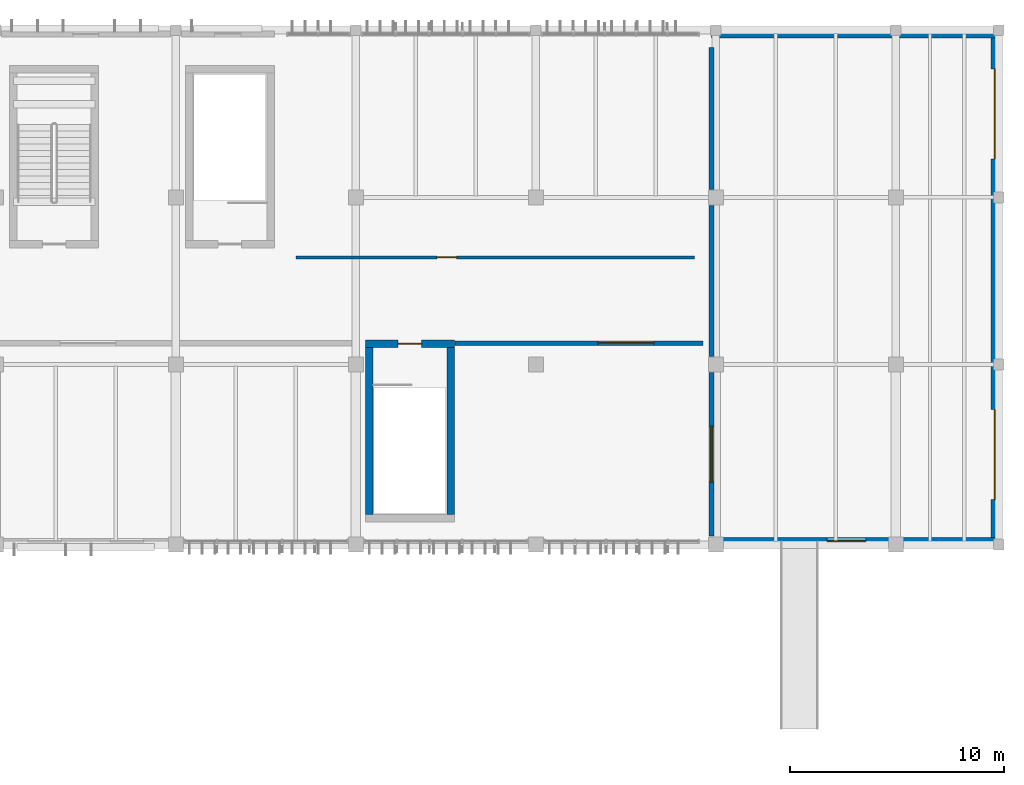
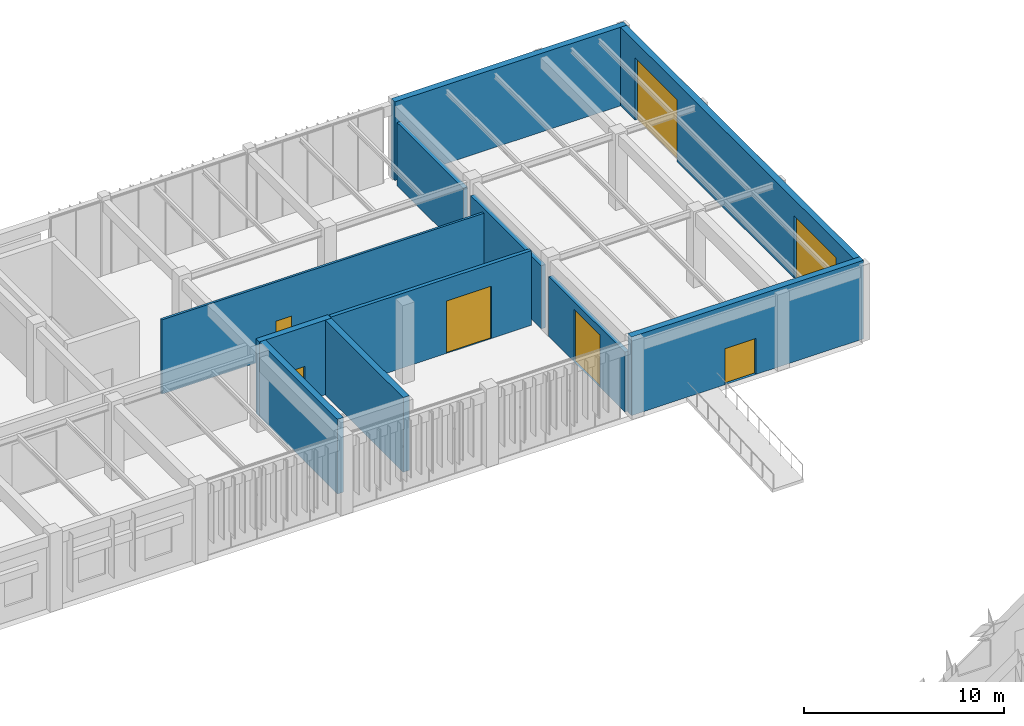
# One storey, part 41 of 122: 11 walls, 7 doors, 7 openings.
"""IFC4 building model written with IfcOpenShell, lengths in metres."""

from ifc_helpers import new_model, si_unit, direction, frame, frame_2d, origin, place, context, subcontext, project, spatial, rectangle, extrude, material, layer, layer_set, type_object, element, fill, save


model = new_model("IFC4")

# Units and contexts
model_context = context("Model", 3, precision=1e-05, world=origin(), true_north=direction((0.0, 1.0)))
body_context = subcontext(model_context, "Body", "Model", "MODEL_VIEW")
ifc_project = project(units=[si_unit("LENGTHUNIT", "METRE"), si_unit("AREAUNIT", "SQUARE_METRE"), si_unit("VOLUMEUNIT", "CUBIC_METRE"), si_unit("PLANEANGLEUNIT", "RADIAN"), si_unit("MASSUNIT", "GRAM", prefix="KILO")], contexts=[model_context])

# Site, building, storey
site_placement = place(None, origin())
site = spatial("IfcSite", under=ifc_project, at=site_placement, CompositionType="ELEMENT")
building_placement = place(site_placement, origin())
building = spatial("IfcBuilding", under=site, at=building_placement, Name="Tazoul Stagehouse", CompositionType="ELEMENT")
storey_placement = place(building_placement, origin())
storey = spatial("IfcBuildingStorey", under=building, at=storey_placement, Name="L00", CompositionType="ELEMENT", Elevation=0.0)

# Wall, opening, door
ifc_material_1 = material(Name="Gypsum Acoustic Partition", Category="gypsum")
ifc_layer_1 = layer(ifc_material_1, 0.25, Name="Gypsum Acoustic Partition")
ifc_layer_set_1 = layer_set([ifc_layer_1], Name="Gypsum Acoustic Partition")
wall_type_1 = type_object("IfcWallType", Name="Acoustic Hall Double-Stud Partition 250", PredefinedType="PARTITIONING", material=ifc_layer_set_1)
wall_1_placement = place(storey_placement, frame((150.39990234375, 88.199951171875, 0.0), z_axis=(0.0, 0.0, 1.0), x_axis=(0.0, 1.0, 0.0)))
wall_1 = element("IfcWall", 1, at=wall_1_placement, inside=storey, type_object=wall_type_1, Name="L00 Partition PW-250 (PW-RM-L00-022-W-S1)", PredefinedType="PARTITIONING", context=body_context, shape_type="SweptSolid", body=[
    extrude(rectangle(XDim=7.630126953125, YDim=0.25, at=frame_2d((3.81494140625, 0.0))), origin(), (0.0, 0.0, 1.0), 3.659912109375),
])
opening_1_placement = place(wall_1_placement, frame((2.514892578125, 0.0, 0.0)))
opening_1 = element("IfcOpeningElement", 2, at=opening_1_placement, cuts=wall_1, Name="Opening ID-22", PredefinedType="OPENING", context=body_context, shape_type="SweptSolid", body=[
    extrude(rectangle(XDim=2.60009765625, YDim=3.199951171875, at=frame_2d((1.300048828125, 1.60009765625))), frame((0.0, 0.14501953125, 0.0), z_axis=(0.0, -1.0, 0.0), x_axis=(1.0, 0.0, 0.0)), (0.0, 0.0, 1.0), 0.2900390625),
])
ifc_material_2 = material(Name="Acoustic Cedar Timber", Category="wood")
door_type_1 = type_object("IfcDoorType", Name="Scenery Stage Acoustic Elephant Door 2600x3200", OperationType="DOUBLE_DOOR_SINGLE_SWING", PredefinedType="DOOR", material=ifc_material_2)
door_1_placement = place(opening_1_placement, origin())
door_1 = element("IfcDoor", 3, at=door_1_placement, inside=storey, type_object=door_type_1, Name="L00 Acoustic Scenery Loading Dock Door", OperationType="DOUBLE_DOOR_SINGLE_SWING", OverallHeight=3.199951171875, OverallWidth=2.60009765625, PredefinedType="DOOR", context=body_context, shape_type="SweptSolid", body=[
    extrude(rectangle(XDim=2.60009765625, YDim=3.199951171875, at=frame_2d((1.300048828125, 1.60009765625))), frame((0.0, 0.02490234375, 0.0), z_axis=(0.0, -1.0, 0.0), x_axis=(1.0, 0.0, 0.0)), (0.0, 0.0, 1.0), 0.050048828125),
])
fill(opening_1, door_1)

# Walls
wall_2_placement = place(storey_placement, frame((150.39990234375, 96.570068359375, 0.0), z_axis=(0.0, 0.0, 1.0), x_axis=(0.0, 1.0, 0.0)))
element("IfcWall", 4, at=wall_2_placement, inside=storey, type_object=wall_type_1, Name="L00 Partition PW-250 (PW-RM-L00-022-W-S2)", PredefinedType="PARTITIONING", context=body_context, shape_type="SweptSolid", body=[
    extrude(rectangle(XDim=7.059814453125, YDim=0.25, at=frame_2d((3.52978515625, 0.0))), origin(), (0.0, 0.0, 1.0), 3.860107421875),
])
wall_3_placement = place(storey_placement, frame((150.39990234375, 104.3701171875, 0.0), z_axis=(0.0, 0.0, 1.0), x_axis=(0.0, 1.0, 0.0)))
element("IfcWall", 5, at=wall_3_placement, inside=storey, type_object=wall_type_1, Name="L00 Partition PW-250 (PW-RM-L00-022-W-S3)", PredefinedType="PARTITIONING", context=body_context, shape_type="SweptSolid", body=[
    extrude(rectangle(XDim=6.6298828125, YDim=0.25, at=frame_2d((3.31494140625, 0.0))), origin(), (0.0, 0.0, 1.0), 3.860107421875),
])
ifc_material_3 = material(Name="Ochre Fired Clay Facing Brick Masonry", Category="masonry")
ifc_layer_2 = layer(ifc_material_3, 0.360107421875, Name="Ochre Fired Clay Facing Brick Masonry")
ifc_layer_set_2 = layer_set([ifc_layer_2], Name="Ochre Fired Clay Facing Brick Masonry")
wall_type_2 = type_object("IfcWallType", Name="Acoustic Stagehouse Masonry-Concrete Cavity Wall 360", PredefinedType="SOLIDWALL", material=ifc_layer_set_2)
wall_4_placement = place(storey_placement, frame((150.39990234375, 111.6201171875, 0.0), z_axis=(0.0, 0.0, 1.0), x_axis=(1.0, 0.0, 0.0)))
element("IfcWall", 6, at=wall_4_placement, inside=storey, type_object=wall_type_2, Name="L00 Wall EW-360 (WALL-V3-NDOCK-S1)", PredefinedType="SOLIDWALL", context=body_context, shape_type="SweptSolid", body=[
    extrude(rectangle(XDim=13.400146484375, YDim=0.360107421875, at=frame_2d((6.7001953125, 0.0))), origin(), (0.0, 0.0, 1.0), 4.800048828125),
])

# Wall, opening, door
wall_5_placement = place(storey_placement, frame((163.800048828125, 87.949951171875, 0.0), z_axis=(0.0, 0.0, 1.0), x_axis=(-1.0, 0.0, 0.0)))
wall_5 = element("IfcWall", 7, at=wall_5_placement, inside=storey, type_object=wall_type_2, Name="L00 Wall EW-360 (WALL-V3-SDOCK-S1)", PredefinedType="SOLIDWALL", context=body_context, shape_type="SweptSolid", body=[
    extrude(rectangle(XDim=13.400146484375, YDim=0.360107421875, at=frame_2d((6.7001953125, 0.0))), origin(), (0.0, 0.0, 1.0), 4.800048828125),
])
opening_2_placement = place(wall_5_placement, frame((6.199951171875, 0.0, 0.0)))
opening_2 = element("IfcOpeningElement", 8, at=opening_2_placement, cuts=wall_5, Name="Opening ED-03", PredefinedType="OPENING", context=body_context, shape_type="SweptSolid", body=[
    extrude(rectangle(XDim=1.800048828125, YDim=2.199951171875, at=frame_2d((0.89990234375, 1.10009765625))), frame((0.0, 0.199951171875, 0.0), z_axis=(0.0, -1.0, 0.0), x_axis=(1.0, 0.0, 0.0)), (0.0, 0.0, 1.0), 0.400146484375),
])
ifc_material_4 = material(Name="Powder-Coated Galvanised Steel Leaf", Category="steel")
door_type_2 = type_object("IfcDoorType", Name="Perimeter Emergency Exit Double Door 1800x2200", OperationType="DOUBLE_DOOR_SINGLE_SWING", PredefinedType="DOOR", material=ifc_material_4)
door_2_placement = place(opening_2_placement, origin())
door_2 = element("IfcDoor", 9, at=door_2_placement, inside=storey, type_object=door_type_2, Name="L00 Door ED-03 (DR-V3-DOCK-EXIT)", OperationType="SINGLE_SWING_LEFT", OverallHeight=2.199951171875, OverallWidth=1.800048828125, PredefinedType="DOOR", context=body_context, shape_type="SweptSolid", body=[
    extrude(rectangle(XDim=1.800048828125, YDim=2.199951171875, at=frame_2d((0.89990234375, 1.10009765625))), frame((0.0, 0.02490234375, 0.0), z_axis=(0.0, -1.0, 0.0), x_axis=(1.0, 0.0, 0.0)), (0.0, 0.0, 1.0), 0.050048828125),
])
fill(opening_2, door_2)

# Wall, openings, doors
wall_6_placement = place(storey_placement, frame((163.6201171875, 87.800048828125, 0.0), z_axis=(0.0, 0.0, 1.0), x_axis=(0.0, 1.0, 0.0)))
wall_6 = element("IfcWall", 10, at=wall_6_placement, inside=storey, type_object=wall_type_2, Name="L00 Wall EW-360 (WALL-V3-DOCK-E)", PredefinedType="SOLIDWALL", context=body_context, shape_type="SweptSolid", body=[
    extrude(rectangle(XDim=24.0, YDim=0.360107421875, at=frame_2d((12.0, 0.0))), origin(), (0.0, 0.0, 1.0), 4.800048828125),
])
opening_3_placement = place(wall_6_placement, frame((2.10009765625, 0.0, 0.0)))
opening_3 = element("IfcOpeningElement", 11, at=opening_3_placement, cuts=wall_6, Name="Opening VD-01", PredefinedType="OPENING", context=body_context, shape_type="SweptSolid", body=[
    extrude(rectangle(XDim=4.199951171875, YDim=3.800048828125, at=frame_2d((2.10009765625, 1.89990234375))), frame((0.0, 0.199951171875, 0.0), z_axis=(0.0, -1.0, 0.0), x_axis=(1.0, 0.0, 0.0)), (0.0, 0.0, 1.0), 0.400146484375),
])
opening_4_placement = place(wall_6_placement, frame((18.0, 0.0, 0.0)))
opening_4 = element("IfcOpeningElement", 12, at=opening_4_placement, cuts=wall_6, Name="Opening VD-01", PredefinedType="OPENING", context=body_context, shape_type="SweptSolid", body=[
    extrude(rectangle(XDim=4.199951171875, YDim=3.800048828125, at=frame_2d((2.10009765625, 1.89990234375))), frame((0.0, 0.199951171875, 0.0), z_axis=(0.0, -1.0, 0.0), x_axis=(1.0, 0.0, 0.0)), (0.0, 0.0, 1.0), 0.400146484375),
])
ifc_material_5 = material(Name="Insulated Galvanised Steel Acoustic Roller Shutter", Category="steel")
door_type_3 = type_object("IfcDoorType", Name="Acoustic Insulated Scenery Loading Shutter 4200x3800", OperationType="ROLLINGUP", PredefinedType="GATE", material=ifc_material_5)
door_3_placement = place(opening_3_placement, origin())
door_3 = element("IfcDoor", 13, at=door_3_placement, inside=storey, type_object=door_type_3, Name="L00 Door VD-01 (DR-V3-SHUTTER-1)", OperationType="SINGLE_SWING_LEFT", OverallHeight=3.800048828125, OverallWidth=4.199951171875, PredefinedType="GATE", context=body_context, shape_type="SweptSolid", body=[
    extrude(rectangle(XDim=4.199951171875, YDim=3.800048828125, at=frame_2d((2.10009765625, 1.89990234375))), frame((0.0, 0.02490234375, 0.0), z_axis=(0.0, -1.0, 0.0), x_axis=(1.0, 0.0, 0.0)), (0.0, 0.0, 1.0), 0.050048828125),
])
fill(opening_3, door_3)
door_4_placement = place(opening_4_placement, origin())
door_4 = element("IfcDoor", 14, at=door_4_placement, inside=storey, type_object=door_type_3, Name="L00 Door VD-01 (DR-V3-SHUTTER-2)", OperationType="SINGLE_SWING_LEFT", OverallHeight=3.800048828125, OverallWidth=4.199951171875, PredefinedType="GATE", context=body_context, shape_type="SweptSolid", body=[
    extrude(rectangle(XDim=4.199951171875, YDim=3.800048828125, at=frame_2d((2.10009765625, 1.89990234375))), frame((0.0, 0.02490234375, 0.0), z_axis=(0.0, -1.0, 0.0), x_axis=(1.0, 0.0, 0.0)), (0.0, 0.0, 1.0), 0.050048828125),
])
fill(opening_4, door_4)

# Wall
ifc_material_6 = material(Name="Concrete C40/50", Category="concrete")
ifc_layer_3 = layer(ifc_material_6, 0.35009765625, Name="Concrete C40/50")
ifc_layer_set_3 = layer_set([ifc_layer_3], Name="Concrete C40/50")
wall_type_3 = type_object("IfcWallType", Name="Core Shear Wall 350", PredefinedType="SOLIDWALL", material=ifc_layer_set_3)
wall_7_placement = place(storey_placement, frame((134.425048828125, 89.199951171875, 0.0), z_axis=(0.0, 0.0, 1.0), x_axis=(0.0, 1.0, 0.0)))
element("IfcWall", 15, at=wall_7_placement, inside=storey, type_object=wall_type_3, Name="L00 Core Wall CW-350 (SHF-ST-B4-west)", PredefinedType="SOLIDWALL", context=body_context, shape_type="SweptSolid", body=[
    extrude(rectangle(XDim=7.800048828125, YDim=0.35009765625, at=frame_2d((3.89990234375, 0.0))), origin(), (0.0, 0.0, 1.0), 4.56005859375),
])

# Wall, opening, door
wall_8_placement = place(storey_placement, frame((134.25, 97.175048828125, 0.0), z_axis=(0.0, 0.0, 1.0), x_axis=(1.0, 0.0, 0.0)))
wall_8 = element("IfcWall", 16, at=wall_8_placement, inside=storey, type_object=wall_type_3, Name="L00 Core Wall CW-350 (SHF-ST-B4-north)", PredefinedType="SOLIDWALL", context=body_context, shape_type="SweptSolid", body=[
    extrude(rectangle(XDim=4.14990234375, YDim=0.35009765625, at=frame_2d((2.074951171875, 0.0))), origin(), (0.0, 0.0, 1.0), 4.56005859375),
])
opening_5_placement = place(wall_8_placement, frame((1.52490234375, 0.0, 0.0)))
opening_5 = element("IfcOpeningElement", 17, at=opening_5_placement, cuts=wall_8, Name="Opening FD-01", PredefinedType="OPENING", context=body_context, shape_type="SweptSolid", body=[
    extrude(rectangle(XDim=1.10009765625, YDim=2.14990234375, at=frame_2d((0.550048828125, 1.074951171875))), frame((0.0, 0.195068359375, 0.0), z_axis=(0.0, -1.0, 0.0), x_axis=(1.0, 0.0, 0.0)), (0.0, 0.0, 1.0), 0.39013671875),
])
ifc_material_7 = material(Name="Powder-Coated Galvanised Acoustic Steel", Category="steel")
door_type_4 = type_object("IfcDoorType", Name="Core Escape Stair Fire Door 1100x2150", OperationType="NOTDEFINED", PredefinedType="DOOR", material=ifc_material_7)
door_5_placement = place(opening_5_placement, origin())
door_5 = element("IfcDoor", 18, at=door_5_placement, inside=storey, type_object=door_type_4, Name="L00 Basement Stair Fire Door FD-01 (ST-B4)", OperationType="SINGLE_SWING_LEFT", OverallHeight=2.14990234375, OverallWidth=1.10009765625, PredefinedType="DOOR", context=body_context, shape_type="SweptSolid", body=[
    extrude(rectangle(XDim=1.10009765625, YDim=2.14990234375, at=frame_2d((0.550048828125, 1.074951171875))), frame((0.0, 0.02490234375, 0.0), z_axis=(0.0, -1.0, 0.0), x_axis=(1.0, 0.0, 0.0)), (0.0, 0.0, 1.0), 0.050048828125),
])
fill(opening_5, door_5)

# Wall
wall_9_placement = place(storey_placement, frame((138.22509765625, 97.0, 0.0), z_axis=(0.0, 0.0, 1.0), x_axis=(0.0, -1.0, 0.0)))
element("IfcWall", 19, at=wall_9_placement, inside=storey, type_object=wall_type_3, Name="L00 Core Wall CW-350 (SHF-ST-B4-east)", PredefinedType="SOLIDWALL", context=body_context, shape_type="SweptSolid", body=[
    extrude(rectangle(XDim=7.800048828125, YDim=0.35009765625, at=frame_2d((3.89990234375, 0.0))), origin(), (0.0, 0.0, 1.0), 4.56005859375),
])

# Wall, opening, door
ifc_layer_4 = layer(ifc_material_1, 0.1298828125, Name="Gypsum Acoustic Partition")
ifc_layer_set_4 = layer_set([ifc_layer_4], Name="Gypsum Acoustic Partition")
wall_type_4 = type_object("IfcWallType", Name="Office Drywall Partition 130", PredefinedType="PARTITIONING", material=ifc_layer_set_4)
wall_10_placement = place(storey_placement, frame((149.60009765625, 101.199951171875, 0.0), z_axis=(0.0, 0.0, 1.0), x_axis=(-1.0, 0.0, 0.0)))
wall_10 = element("IfcWall", 20, at=wall_10_placement, inside=storey, type_object=wall_type_4, Name="L00 Partition PW-130 (PW-RM-L00-024-S)", PredefinedType="PARTITIONING", context=body_context, shape_type="SweptSolid", body=[
    extrude(rectangle(XDim=18.60009765625, YDim=0.1298828125, at=frame_2d((9.300048828125, 0.0))), origin(), (0.0, 0.0, 1.0), 4.5400390625),
])
opening_6_placement = place(wall_10_placement, frame((11.10009765625, 0.0, 0.0)))
opening_6 = element("IfcOpeningElement", 21, at=opening_6_placement, cuts=wall_10, Name="Opening ID-05", PredefinedType="OPENING", context=body_context, shape_type="SweptSolid", body=[
    extrude(rectangle(XDim=0.89990234375, YDim=2.14990234375, at=frame_2d((0.449951171875, 1.074951171875))), frame((0.0, 0.0849609375, 0.0), z_axis=(0.0, -1.0, 0.0), x_axis=(1.0, 0.0, 0.0)), (0.0, 0.0, 1.0), 0.169921875),
])
door_type_5 = type_object("IfcDoorType", Name="Office Timber Acoustic Door 900x2150", OperationType="NOTDEFINED", PredefinedType="DOOR", material=ifc_material_2)
door_6_placement = place(opening_6_placement, origin())
door_6 = element("IfcDoor", 22, at=door_6_placement, inside=storey, type_object=door_type_5, Name="L00 Stage Door Artists Reception Door", OperationType="SINGLE_SWING_RIGHT", OverallHeight=2.14990234375, OverallWidth=0.89990234375, PredefinedType="DOOR", context=body_context, shape_type="SweptSolid", body=[
    extrude(rectangle(XDim=0.89990234375, YDim=2.14990234375, at=frame_2d((0.449951171875, 1.074951171875))), frame((0.0, 0.02490234375, 0.0), z_axis=(0.0, -1.0, 0.0), x_axis=(1.0, 0.0, 0.0)), (0.0, 0.0, 1.0), 0.050048828125),
])
fill(opening_6, door_6)

ifc_layer_5 = layer(ifc_material_1, 0.2099609375, Name="Gypsum Acoustic Partition")
ifc_layer_set_5 = layer_set([ifc_layer_5], Name="Gypsum Acoustic Partition")
wall_type_5 = type_object("IfcWallType", Name="Rehearsal Room Acoustic Partition 210", PredefinedType="PARTITIONING", material=ifc_layer_set_5)
wall_11_placement = place(storey_placement, frame((138.43994140625, 97.199951171875, 0.0), z_axis=(0.0, 0.0, 1.0), x_axis=(1.0, 0.0, 0.0)))
wall_11 = element("IfcWall", 23, at=wall_11_placement, inside=storey, type_object=wall_type_5, Name="L00 Partition PW-210 (PW-RM-L00-106-N)", PredefinedType="PARTITIONING", context=body_context, shape_type="SweptSolid", body=[
    extrude(rectangle(XDim=11.56005859375, YDim=0.2099609375, at=frame_2d((5.780029296875, 0.0))), origin(), (0.0, 0.0, 1.0), 4.56005859375),
])
opening_7_placement = place(wall_11_placement, frame((6.66650390625, 0.0, 0.0)))
opening_7 = element("IfcOpeningElement", 24, at=opening_7_placement, cuts=wall_11, Name="Opening ID-22", PredefinedType="OPENING", context=body_context, shape_type="SweptSolid", body=[
    extrude(rectangle(XDim=2.60009765625, YDim=3.199951171875, at=frame_2d((1.300048828125, 1.60009765625))), frame((0.0, 0.125, 0.0), z_axis=(0.0, -1.0, 0.0), x_axis=(1.0, 0.0, 0.0)), (0.0, 0.0, 1.0), 0.25),
])
door_7_placement = place(opening_7_placement, origin())
door_7 = element("IfcDoor", 25, at=door_7_placement, inside=storey, type_object=door_type_1, Name="L00 Stage Carpentry and Metalwork Shop Door", OperationType="DOUBLE_DOOR_SINGLE_SWING", OverallHeight=3.199951171875, OverallWidth=2.60009765625, PredefinedType="DOOR", context=body_context, shape_type="SweptSolid", body=[
    extrude(rectangle(XDim=2.60009765625, YDim=3.199951171875, at=frame_2d((1.300048828125, 1.60009765625))), frame((0.0, 0.02490234375, 0.0), z_axis=(0.0, -1.0, 0.0), x_axis=(1.0, 0.0, 0.0)), (0.0, 0.0, 1.0), 0.050048828125),
])
fill(opening_7, door_7)

save(model, "model.ifc")
